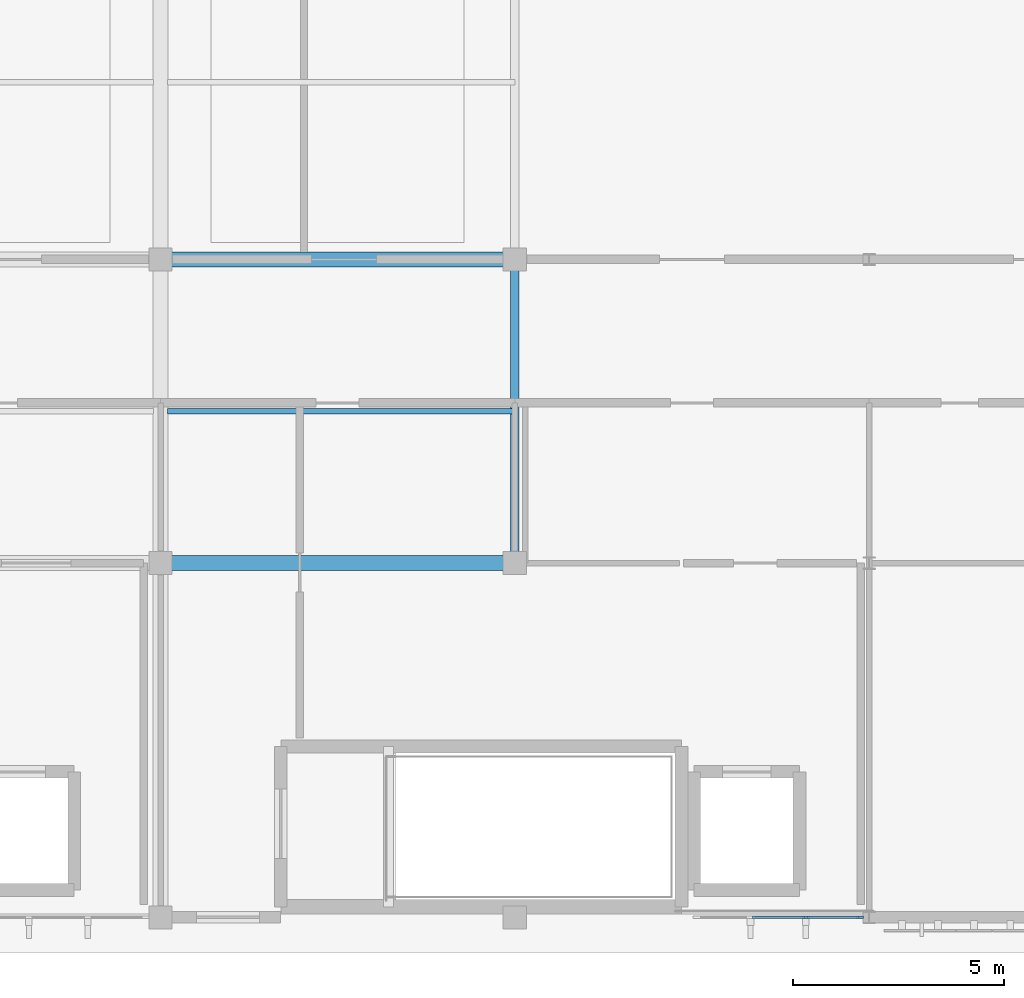
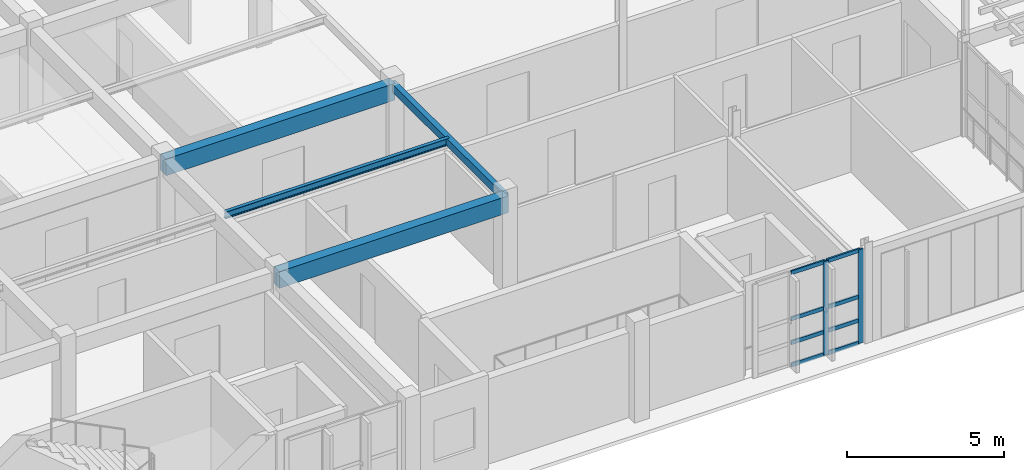
# One storey, part 11 of 35: 10 members, 4 beams, 1 element without a shape of its own.
"""IFC4 building model written with IfcOpenShell, lengths in metres."""

from ifc_helpers import new_model, si_unit, direction, frame, origin, origin_2d, place, context, subcontext, project, spatial, rectangle, hollow_rectangle, i_section, extrude, material, material_profile, profile_set, type_object, element, aggregate, save


model = new_model("IFC4")

# Units and contexts
model_context = context("Model", 3, precision=1e-05, world=origin(), true_north=direction((0.0, 1.0)))
body_context = subcontext(model_context, "Body", "Model", "MODEL_VIEW")
ifc_project = project(units=[si_unit("LENGTHUNIT", "METRE"), si_unit("AREAUNIT", "SQUARE_METRE"), si_unit("VOLUMEUNIT", "CUBIC_METRE"), si_unit("PLANEANGLEUNIT", "RADIAN"), si_unit("MASSUNIT", "GRAM", prefix="KILO")], contexts=[model_context])

# Site, building, storey
site_placement = place(None, origin())
site = spatial("IfcSite", under=ifc_project, at=site_placement, CompositionType="ELEMENT")
building_placement = place(site_placement, origin())
building = spatial("IfcBuilding", under=site, at=building_placement, Name="Tizgana Railside Sports Hall", CompositionType="ELEMENT")
storey_placement = place(building_placement, frame((0.0, 0.0, 15.89990234375)))
storey = spatial("IfcBuildingStorey", under=building, at=storey_placement, Name="L03", CompositionType="ELEMENT", Elevation=15.89990234375)

# Beams
ifc_material_1 = material(Name="Concrete C35/45", Category="concrete")
ifc_material_profile_1 = material_profile(ifc_material_1, rectangle(XDim=0.35009765625, YDim=0.64990234375, at=origin_2d()), Name="RCB 350x650")
ifc_profile_set_1 = profile_set([ifc_material_profile_1], Name="Concrete C35/45")
beam_type_1 = type_object("IfcBeamType", Name="Concrete Beam RCB 350x650", PredefinedType="BEAM", material=ifc_profile_set_1)
for number, where, z_axis, x_axis, name in (
    (1, (54.60009765625, 8.39990234375, 3.2412109375), (1.0, 0.0, 0.0), (0.0, 1.0, 0.0), "L03 BEM-0778"),
    (2, (54.60009765625, 15.60009765625, 3.2412109375), (1.0, 0.0, 0.0), (0.0, 1.0, 0.0), "L03 BEM-0779"),
):
    element("IfcBeam", number, at=place(storey_placement, frame(where, z_axis=z_axis, x_axis=x_axis)), inside=storey, type_object=beam_type_1, Name=name, PredefinedType="BEAM", context=body_context, shape_type="SweptSolid", body=[
        extrude(rectangle(XDim=0.35009765625, YDim=0.64990234375, at=origin_2d()), origin(), (0.0, 0.0, 1.0), 8.39990234375),
    ])

# Curtain wall, members
ifc_material_2 = material(Name="Anodised aluminium and glass", Category="aluminium")
curtain_wall_type = type_object("IfcCurtainWallType", Name="Unitised Curtain Wall Studio 1400", PredefinedType="NOTDEFINED", material=ifc_material_2)
curtain_wall_placement = place(storey_placement, origin())
curtain_wall = element("IfcCurtainWall", 3, at=curtain_wall_placement, inside=storey, type_object=curtain_wall_type, Name="L03 Curtain Wall CW-0122", PredefinedType="NOTDEFINED")
ifc_material_3 = material(Name="Anodised aluminium", Category="aluminium")
ifc_material_profile_2 = material_profile(ifc_material_3, rectangle(XDim=0.06005859375, YDim=0.179931640625, at=origin_2d()), Name="Mullion 60x180")
ifc_profile_set_2 = profile_set([ifc_material_profile_2], Name="Anodised aluminium")
member_type_1 = type_object("IfcMemberType", Name="Mullion 60x180", PredefinedType="MULLION", material=ifc_profile_set_2)
member_1_placement = place(storey_placement, frame((71.175048828125, 0.0, 0.0), z_axis=(0.0, 0.0, 1.0), x_axis=(0.0, -1.0, 0.0)))
member_1 = element("IfcMember", 4, at=member_1_placement, type_object=member_type_1, Name="CW-03 mullion 1", PredefinedType="MULLION", context=body_context, shape_type="SweptSolid", body=[
    extrude(rectangle(XDim=0.06005859375, YDim=0.179931640625, at=origin_2d()), origin(), (0.0, 0.0, 1.0), 3.64013671875),
])
member_2_placement = place(storey_placement, frame((69.896728515625, 0.0, 0.0), z_axis=(0.0, 0.0, 1.0), x_axis=(0.0, -1.0, 0.0)))
member_2 = element("IfcMember", 5, at=member_2_placement, type_object=member_type_1, Name="CW-03 mullion 2", PredefinedType="MULLION", context=body_context, shape_type="SweptSolid", body=[
    extrude(rectangle(XDim=0.06005859375, YDim=0.179931640625, at=origin_2d()), origin(), (0.0, 0.0, 1.0), 3.64013671875),
])

# Beams
ifc_material_4 = material(Name="Steel S355J2", Category="steel")
ifc_material_profile_3 = material_profile(ifc_material_4, i_section(OverallWidth=0.1298828125, OverallDepth=0.27001953125, WebThickness=0.006591796875, FlangeThickness=0.01025390625, FilletRadius=0.014892578125, at=origin_2d()), Name="IPE 270")
ifc_profile_set_3 = profile_set([ifc_material_profile_3], Name="Steel S355J2")
beam_type_2 = type_object("IfcBeamType", Name="Steel Joist IPE 270", PredefinedType="JOIST", material=ifc_profile_set_3)
beam_1_placement = place(storey_placement, frame((54.77001953125, 12.0, 3.43115234375), z_axis=(1.0, 0.0, 0.0), x_axis=(0.0, 1.0, 0.0)))
element("IfcBeam", 6, at=beam_1_placement, inside=storey, type_object=beam_type_2, Name="L03 BEM-0782", PredefinedType="JOIST", context=body_context, shape_type="SweptSolid", body=[
    extrude(i_section(OverallWidth=0.1298828125, OverallDepth=0.27001953125, WebThickness=0.006591796875, FlangeThickness=0.01025390625, FilletRadius=0.014892578125, at=origin_2d()), origin(), (0.0, 0.0, 1.0), 8.22998046875),
])
ifc_material_profile_4 = material_profile(ifc_material_4, hollow_rectangle(XDim=0.199951171875, YDim=0.300048828125, WallThickness=0.010009765625, at=origin_2d()), Name="RHS 300x200x10")
ifc_profile_set_4 = profile_set([ifc_material_profile_4], Name="Steel S355J2")
beam_type_3 = type_object("IfcBeamType", Name="Steel Spandrel RHS 300x200x10", PredefinedType="SPANDREL", material=ifc_profile_set_4)
beam_2_placement = place(storey_placement, frame((63.0, 8.39990234375, 3.416015625), z_axis=(0.0, 1.0, 0.0), x_axis=(-1.0, 0.0, 0.0)))
element("IfcBeam", 7, at=beam_2_placement, inside=storey, type_object=beam_type_3, Name="L03 BEM-0729", PredefinedType="SPANDREL", context=body_context, shape_type="SweptSolid", body=[
    extrude(hollow_rectangle(XDim=0.199951171875, YDim=0.300048828125, WallThickness=0.010009765625, at=origin_2d()), origin(), (0.0, 0.0, 1.0), 7.2001953125),
])

# Member
ifc_material_profile_5 = material_profile(ifc_material_3, rectangle(XDim=0.06005859375, YDim=0.14990234375, at=origin_2d()), Name="Transom 60x150")
ifc_profile_set_5 = profile_set([ifc_material_profile_5], Name="Anodised aluminium")
member_type_2 = type_object("IfcMemberType", Name="Transom 60x150", PredefinedType="USERDEFINED", material=ifc_profile_set_5)
member_3_placement = place(storey_placement, frame((71.14501953125, 0.0, 0.030029296875), z_axis=(-1.0, 0.0, 0.0), x_axis=(0.0, -1.0, 0.0)))
member_3 = element("IfcMember", 8, at=member_3_placement, type_object=member_type_2, Name="CW-03 transom 1.1", ObjectType="TRANSOM", PredefinedType="USERDEFINED", context=body_context, shape_type="SweptSolid", body=[
    extrude(rectangle(XDim=0.06005859375, YDim=0.14990234375, at=origin_2d()), origin(), (0.0, 0.0, 1.0), 1.21826171875),
])

member_4_placement = place(storey_placement, frame((71.14501953125, 0.0, 0.900146484375), z_axis=(-1.0, 0.0, 0.0), x_axis=(0.0, -1.0, 0.0)))
member_4 = element("IfcMember", 9, at=member_4_placement, type_object=member_type_2, Name="CW-03 transom 1.2", ObjectType="TRANSOM", PredefinedType="USERDEFINED", context=body_context, shape_type="SweptSolid", body=[
    extrude(rectangle(XDim=0.06005859375, YDim=0.14990234375, at=origin_2d()), origin(), (0.0, 0.0, 1.0), 1.21826171875),
])

member_5_placement = place(storey_placement, frame((71.14501953125, 0.0, 1.820068359375), z_axis=(-1.0, 0.0, 0.0), x_axis=(0.0, -1.0, 0.0)))
member_5 = element("IfcMember", 10, at=member_5_placement, type_object=member_type_2, Name="CW-03 transom 1.3", ObjectType="TRANSOM", PredefinedType="USERDEFINED", context=body_context, shape_type="SweptSolid", body=[
    extrude(rectangle(XDim=0.06005859375, YDim=0.14990234375, at=origin_2d()), origin(), (0.0, 0.0, 1.0), 1.21826171875),
])

member_6_placement = place(storey_placement, frame((71.14501953125, 0.0, 3.610107421875), z_axis=(-1.0, 0.0, 0.0), x_axis=(0.0, -1.0, 0.0)))
member_6 = element("IfcMember", 11, at=member_6_placement, type_object=member_type_2, Name="CW-03 transom 1.4", ObjectType="TRANSOM", PredefinedType="USERDEFINED", context=body_context, shape_type="SweptSolid", body=[
    extrude(rectangle(XDim=0.06005859375, YDim=0.14990234375, at=origin_2d()), origin(), (0.0, 0.0, 1.0), 1.21826171875),
])

member_7_placement = place(storey_placement, frame((69.86669921875, 0.0, 0.030029296875), z_axis=(-1.0, 0.0, 0.0), x_axis=(0.0, -1.0, 0.0)))
member_7 = element("IfcMember", 12, at=member_7_placement, type_object=member_type_2, Name="CW-03 transom 2.1", ObjectType="TRANSOM", PredefinedType="USERDEFINED", context=body_context, shape_type="SweptSolid", body=[
    extrude(rectangle(XDim=0.06005859375, YDim=0.14990234375, at=origin_2d()), origin(), (0.0, 0.0, 1.0), 1.248291015625),
])

member_8_placement = place(storey_placement, frame((69.86669921875, 0.0, 0.900146484375), z_axis=(-1.0, 0.0, 0.0), x_axis=(0.0, -1.0, 0.0)))
member_8 = element("IfcMember", 13, at=member_8_placement, type_object=member_type_2, Name="CW-03 transom 2.2", ObjectType="TRANSOM", PredefinedType="USERDEFINED", context=body_context, shape_type="SweptSolid", body=[
    extrude(rectangle(XDim=0.06005859375, YDim=0.14990234375, at=origin_2d()), origin(), (0.0, 0.0, 1.0), 1.248291015625),
])

member_9_placement = place(storey_placement, frame((69.86669921875, 0.0, 1.820068359375), z_axis=(-1.0, 0.0, 0.0), x_axis=(0.0, -1.0, 0.0)))
member_9 = element("IfcMember", 14, at=member_9_placement, type_object=member_type_2, Name="CW-03 transom 2.3", ObjectType="TRANSOM", PredefinedType="USERDEFINED", context=body_context, shape_type="SweptSolid", body=[
    extrude(rectangle(XDim=0.06005859375, YDim=0.14990234375, at=origin_2d()), origin(), (0.0, 0.0, 1.0), 1.248291015625),
])

member_10_placement = place(storey_placement, frame((69.86669921875, 0.0, 3.610107421875), z_axis=(-1.0, 0.0, 0.0), x_axis=(0.0, -1.0, 0.0)))
member_10 = element("IfcMember", 15, at=member_10_placement, type_object=member_type_2, Name="CW-03 transom 2.4", ObjectType="TRANSOM", PredefinedType="USERDEFINED", context=body_context, shape_type="SweptSolid", body=[
    extrude(rectangle(XDim=0.06005859375, YDim=0.14990234375, at=origin_2d()), origin(), (0.0, 0.0, 1.0), 1.248291015625),
])

aggregate(curtain_wall, [member_1, member_2, member_3, member_4, member_5, member_6, member_7, member_8, member_9, member_10])

save(model, "model.ifc")
